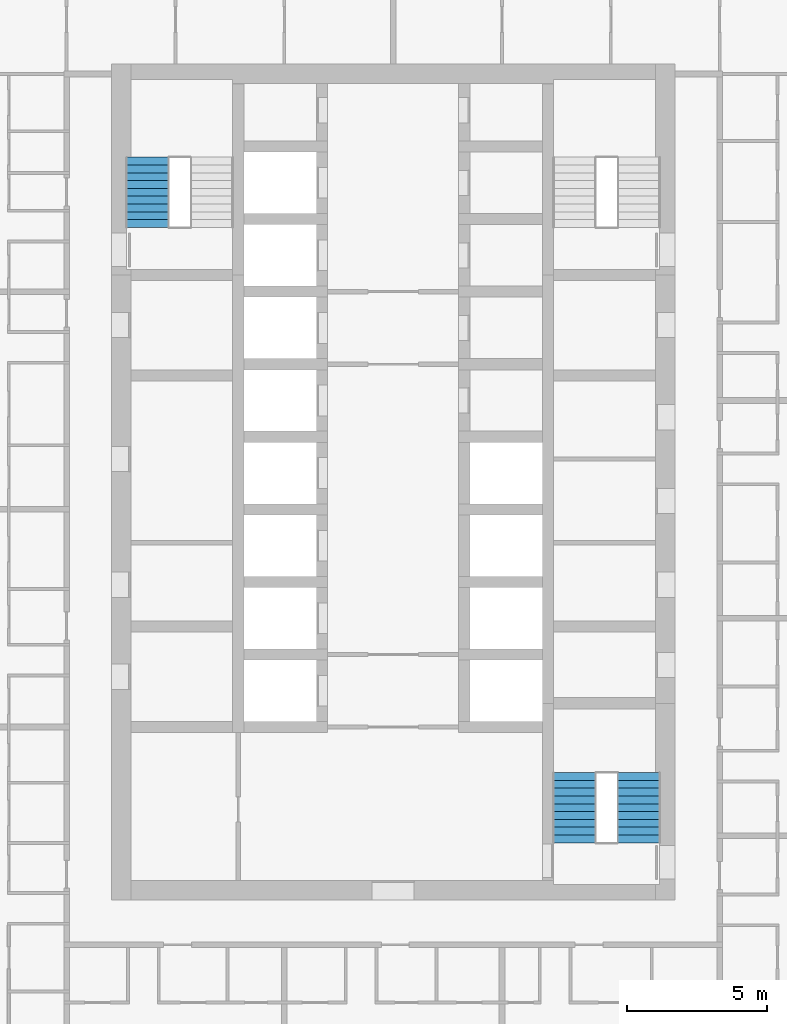
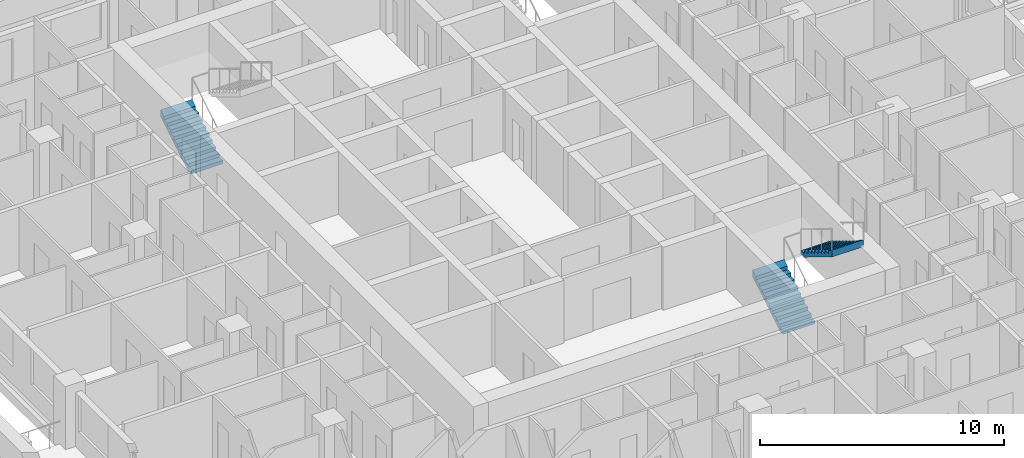
# One storey, part 15 of 18: 3 stair flights, 2 elements without a shape of their own.
"""IFC4 building model written with IfcOpenShell, lengths in metres."""

from ifc_helpers import new_model, si_unit, direction, frame, origin, place, context, subcontext, project, spatial, triangles, material, type_object, element, aggregate, save


model = new_model("IFC4")

# Units and contexts
model_context = context("Model", 3, precision=1e-05, world=origin(), true_north=direction((0.0, 1.0)))
body_context = subcontext(model_context, "Body", "Model", "MODEL_VIEW")
ifc_project = project(units=[si_unit("LENGTHUNIT", "METRE"), si_unit("AREAUNIT", "SQUARE_METRE"), si_unit("VOLUMEUNIT", "CUBIC_METRE"), si_unit("PLANEANGLEUNIT", "RADIAN"), si_unit("MASSUNIT", "GRAM", prefix="KILO")], contexts=[model_context])

# Site, building, storey
site_placement = place(None, origin())
site = spatial("IfcSite", under=ifc_project, at=site_placement, CompositionType="ELEMENT")
building_placement = place(site_placement, origin())
building = spatial("IfcBuilding", under=site, at=building_placement, Name="Ludao Terraces", CompositionType="ELEMENT")
storey_placement = place(building_placement, frame((0.0, 0.0, 61.39990234375)))
storey = spatial("IfcBuildingStorey", under=building, at=storey_placement, Name="L16", CompositionType="ELEMENT", Elevation=61.39990234375)

# Stair, stair flight
ifc_material = material(Name="Concrete C40", Category="concrete")
stair_type = type_object("IfcStairType", Name="INT Stair", PredefinedType="HALF_TURN_STAIR", material=ifc_material)
stair_1_placement = place(storey_placement, origin())
stair_1 = element("IfcStair", 1, at=stair_1_placement, inside=storey, type_object=stair_type, Name="EXIT STAIR 1", PredefinedType="HALF_TURN_STAIR")
stair_flight_type = type_object("IfcStairFlightType", Name="INT Stair flight", PredefinedType="STRAIGHT", material=ifc_material)
stair_flight_1_placement = place(storey_placement, frame((76.199951171875, 79.0, 0.0), z_axis=(0.0, 0.0, 1.0), x_axis=(0.0, 1.0, 0.0)))
stair_flight_1 = element("IfcStairFlight", 2, at=stair_flight_1_placement, type_object=stair_flight_type, Name="ST1 flight 1", NumberOfRisers=10, NumberOfTreads=9, PredefinedType="STRAIGHT", RiserHeight=0.17, TreadLength=0.28, context=body_context, shape_type="Tessellation", body=[
    triangles([(0.0, -0.75, 0.0), (0.0, -0.5, 0.0), (0.0, -0.25, 0.0), (0.0, 0.0, 0.0), (0.0, 0.25, 0.0), (0.0, 0.5, 0.0), (0.0, 0.75, 0.0), (0.0, -0.75, 0.169921875), (0.0, -0.5, 0.169921875), (0.0, -0.25, 0.169921875), (0.0, 0.0, 0.169921875), (0.0, 0.25, 0.169921875), (0.0, 0.5, 0.169921875), (0.0, 0.75, 0.169921875), (0.280029296875, -0.75, 0.169921875), (0.280029296875, -0.5, 0.169921875), (0.280029296875, -0.25, 0.169921875), (0.280029296875, 0.0, 0.169921875), (0.280029296875, 0.25, 0.169921875), (0.280029296875, 0.5, 0.169921875), (0.280029296875, 0.75, 0.169921875), (0.280029296875, -0.75, 0.340087890625), (0.280029296875, -0.5, 0.340087890625), (0.280029296875, -0.25, 0.340087890625), (0.280029296875, 0.0, 0.340087890625), (0.280029296875, 0.25, 0.340087890625), (0.280029296875, 0.5, 0.340087890625), (0.280029296875, 0.75, 0.340087890625), (0.56005859375, -0.75, 0.340087890625), (0.56005859375, -0.5, 0.340087890625), (0.56005859375, -0.25, 0.340087890625), (0.56005859375, 0.0, 0.340087890625), (0.56005859375, 0.25, 0.340087890625), (0.56005859375, 0.5, 0.340087890625), (0.56005859375, 0.75, 0.340087890625), (0.56005859375, -0.75, 0.510009765625), (0.56005859375, -0.5, 0.510009765625), (0.56005859375, -0.25, 0.510009765625), (0.56005859375, 0.0, 0.510009765625), (0.56005859375, 0.25, 0.510009765625), (0.56005859375, 0.5, 0.510009765625), (0.56005859375, 0.75, 0.510009765625), (0.840087890625, -0.75, 0.510009765625), (0.840087890625, -0.5, 0.510009765625), (0.840087890625, -0.25, 0.510009765625), (0.840087890625, 0.0, 0.510009765625), (0.840087890625, 0.25, 0.510009765625), (0.840087890625, 0.5, 0.510009765625), (0.840087890625, 0.75, 0.510009765625), (0.840087890625, -0.75, 0.679931640625), (0.840087890625, -0.5, 0.679931640625), (0.840087890625, -0.25, 0.679931640625), (0.840087890625, 0.0, 0.679931640625), (0.840087890625, 0.25, 0.679931640625), (0.840087890625, 0.5, 0.679931640625), (0.840087890625, 0.75, 0.679931640625), (1.1201171875, -0.75, 0.679931640625), (1.1201171875, -0.5, 0.679931640625), (1.1201171875, -0.25, 0.679931640625), (1.1201171875, 0.0, 0.679931640625), (1.1201171875, 0.25, 0.679931640625), (1.1201171875, 0.5, 0.679931640625), (1.1201171875, 0.75, 0.679931640625), (1.1201171875, -0.75, 0.85009765625), (1.1201171875, -0.5, 0.85009765625), (1.1201171875, -0.25, 0.85009765625), (1.1201171875, 0.0, 0.85009765625), (1.1201171875, 0.25, 0.85009765625), (1.1201171875, 0.5, 0.85009765625), (1.1201171875, 0.75, 0.85009765625), (1.39990234375, -0.75, 0.85009765625), (1.39990234375, -0.5, 0.85009765625), (1.39990234375, -0.25, 0.85009765625), (1.39990234375, 0.0, 0.85009765625), (1.39990234375, 0.25, 0.85009765625), (1.39990234375, 0.5, 0.85009765625), (1.39990234375, 0.75, 0.85009765625), (1.39990234375, -0.75, 1.02001953125), (1.39990234375, -0.5, 1.02001953125), (1.39990234375, -0.25, 1.02001953125), (1.39990234375, 0.0, 1.02001953125), (1.39990234375, 0.25, 1.02001953125), (1.39990234375, 0.5, 1.02001953125), (1.39990234375, 0.75, 1.02001953125), (1.679931640625, -0.75, 1.02001953125), (1.679931640625, -0.5, 1.02001953125), (1.679931640625, -0.25, 1.02001953125), (1.679931640625, 0.0, 1.02001953125), (1.679931640625, 0.25, 1.02001953125), (1.679931640625, 0.5, 1.02001953125), (1.679931640625, 0.75, 1.02001953125), (1.679931640625, -0.75, 1.18994140625), (1.679931640625, -0.5, 1.18994140625), (1.679931640625, -0.25, 1.18994140625), (1.679931640625, 0.0, 1.18994140625), (1.679931640625, 0.25, 1.18994140625), (1.679931640625, 0.5, 1.18994140625), (1.679931640625, 0.75, 1.18994140625), (1.9599609375, -0.75, 1.18994140625), (1.9599609375, -0.5, 1.18994140625), (1.9599609375, -0.25, 1.18994140625), (1.9599609375, 0.0, 1.18994140625), (1.9599609375, 0.25, 1.18994140625), (1.9599609375, 0.5, 1.18994140625), (1.9599609375, 0.75, 1.18994140625), (1.9599609375, -0.75, 1.360107421875), (1.9599609375, -0.5, 1.360107421875), (1.9599609375, -0.25, 1.360107421875), (1.9599609375, 0.0, 1.360107421875), (1.9599609375, 0.25, 1.360107421875), (1.9599609375, 0.5, 1.360107421875), (1.9599609375, 0.75, 1.360107421875), (2.239990234375, -0.75, 1.360107421875), (2.239990234375, -0.5, 1.360107421875), (2.239990234375, -0.25, 1.360107421875), (2.239990234375, 0.0, 1.360107421875), (2.239990234375, 0.25, 1.360107421875), (2.239990234375, 0.5, 1.360107421875), (2.239990234375, 0.75, 1.360107421875), (2.239990234375, -0.75, 1.530029296875), (2.239990234375, -0.5, 1.530029296875), (2.239990234375, -0.25, 1.530029296875), (2.239990234375, 0.0, 1.530029296875), (2.239990234375, 0.25, 1.530029296875), (2.239990234375, 0.5, 1.530029296875), (2.239990234375, 0.75, 1.530029296875), (2.52001953125, -0.75, 1.699951171875), (2.52001953125, -0.5, 1.699951171875), (2.52001953125, -0.25, 1.699951171875), (2.52001953125, 0.0, 1.699951171875), (2.52001953125, 0.25, 1.699951171875), (2.52001953125, 0.5, 1.699951171875), (2.52001953125, 0.75, 1.699951171875), (2.52001953125, -0.75, 1.354736328125), (2.52001953125, -0.5, 1.354736328125), (2.52001953125, -0.25, 1.354736328125), (2.52001953125, 0.0, 1.354736328125), (2.52001953125, 0.25, 1.354736328125), (2.52001953125, 0.5, 1.354736328125), (2.52001953125, 0.75, 1.354736328125), (0.288818359375, -0.75, 0.0), (0.288818359375, -0.5, 0.0), (0.288818359375, -0.25, 0.0), (0.288818359375, 0.0, 0.0), (0.288818359375, 0.25, 0.0), (0.288818359375, 0.5, 0.0), (0.288818359375, 0.75, 0.0)], [[1, 141, 134], [7, 140, 147], [134, 127, 120], [140, 126, 133], [134, 120, 113], [140, 119, 126], [134, 113, 106], [140, 112, 119], [134, 106, 99], [140, 105, 112], [99, 92, 85], [105, 91, 98], [134, 99, 85], [140, 91, 105], [85, 78, 71], [91, 77, 84], [134, 85, 71], [140, 77, 91], [71, 64, 57], [77, 63, 70], [134, 71, 57], [140, 63, 77], [57, 50, 43], [63, 49, 56], [134, 57, 43], [140, 49, 63], [43, 36, 29], [49, 35, 42], [134, 43, 29], [140, 35, 49], [29, 22, 15], [35, 21, 28], [134, 29, 15], [140, 21, 35], [1, 134, 15], [7, 21, 140], [15, 8, 1], [21, 7, 14], [1, 9, 2], [1, 8, 9], [2, 10, 3], [2, 9, 10], [3, 11, 4], [3, 10, 11], [4, 12, 5], [4, 11, 12], [5, 13, 6], [5, 12, 13], [6, 14, 7], [6, 13, 14], [8, 16, 9], [8, 15, 16], [9, 17, 10], [9, 16, 17], [10, 18, 11], [10, 17, 18], [11, 19, 12], [11, 18, 19], [12, 20, 13], [12, 19, 20], [13, 21, 14], [13, 20, 21], [15, 23, 16], [15, 22, 23], [16, 24, 17], [16, 23, 24], [17, 25, 18], [17, 24, 25], [18, 26, 19], [18, 25, 26], [19, 27, 20], [19, 26, 27], [20, 28, 21], [20, 27, 28], [22, 30, 23], [22, 29, 30], [23, 31, 24], [23, 30, 31], [24, 32, 25], [24, 31, 32], [25, 33, 26], [25, 32, 33], [26, 34, 27], [26, 33, 34], [27, 35, 28], [27, 34, 35], [29, 37, 30], [29, 36, 37], [30, 38, 31], [30, 37, 38], [31, 39, 32], [31, 38, 39], [32, 40, 33], [32, 39, 40], [33, 41, 34], [33, 40, 41], [34, 42, 35], [34, 41, 42], [36, 44, 37], [36, 43, 44], [37, 45, 38], [37, 44, 45], [38, 46, 39], [38, 45, 46], [39, 47, 40], [39, 46, 47], [40, 48, 41], [40, 47, 48], [41, 49, 42], [41, 48, 49], [43, 51, 44], [43, 50, 51], [44, 52, 45], [44, 51, 52], [45, 53, 46], [45, 52, 53], [46, 54, 47], [46, 53, 54], [47, 55, 48], [47, 54, 55], [48, 56, 49], [48, 55, 56], [50, 58, 51], [50, 57, 58], [51, 59, 52], [51, 58, 59], [52, 60, 53], [52, 59, 60], [53, 61, 54], [53, 60, 61], [54, 62, 55], [54, 61, 62], [55, 63, 56], [55, 62, 63], [57, 65, 58], [57, 64, 65], [58, 66, 59], [58, 65, 66], [59, 67, 60], [59, 66, 67], [60, 68, 61], [60, 67, 68], [61, 69, 62], [61, 68, 69], [62, 70, 63], [62, 69, 70], [64, 72, 65], [64, 71, 72], [65, 73, 66], [65, 72, 73], [66, 74, 67], [66, 73, 74], [67, 75, 68], [67, 74, 75], [68, 76, 69], [68, 75, 76], [69, 77, 70], [69, 76, 77], [71, 79, 72], [71, 78, 79], [72, 80, 73], [72, 79, 80], [73, 81, 74], [73, 80, 81], [74, 82, 75], [74, 81, 82], [75, 83, 76], [75, 82, 83], [76, 84, 77], [76, 83, 84], [78, 86, 79], [78, 85, 86], [79, 87, 80], [79, 86, 87], [80, 88, 81], [80, 87, 88], [81, 89, 82], [81, 88, 89], [82, 90, 83], [82, 89, 90], [83, 91, 84], [83, 90, 91], [85, 93, 86], [85, 92, 93], [86, 94, 87], [86, 93, 94], [87, 95, 88], [87, 94, 95], [88, 96, 89], [88, 95, 96], [89, 97, 90], [89, 96, 97], [90, 98, 91], [90, 97, 98], [92, 100, 93], [92, 99, 100], [93, 101, 94], [93, 100, 101], [94, 102, 95], [94, 101, 102], [95, 103, 96], [95, 102, 103], [96, 104, 97], [96, 103, 104], [97, 105, 98], [97, 104, 105], [99, 107, 100], [99, 106, 107], [100, 108, 101], [100, 107, 108], [101, 109, 102], [101, 108, 109], [102, 110, 103], [102, 109, 110], [103, 111, 104], [103, 110, 111], [104, 112, 105], [104, 111, 112], [106, 114, 107], [106, 113, 114], [107, 115, 108], [107, 114, 115], [108, 116, 109], [108, 115, 116], [109, 117, 110], [109, 116, 117], [110, 118, 111], [110, 117, 118], [111, 119, 112], [111, 118, 119], [113, 121, 114], [113, 120, 121], [114, 122, 115], [114, 121, 122], [115, 123, 116], [115, 122, 123], [116, 124, 117], [116, 123, 124], [117, 125, 118], [117, 124, 125], [118, 126, 119], [118, 125, 126], [120, 128, 121], [120, 127, 128], [121, 129, 122], [121, 128, 129], [122, 130, 123], [122, 129, 130], [123, 131, 124], [123, 130, 131], [124, 132, 125], [124, 131, 132], [125, 133, 126], [125, 132, 133], [127, 135, 128], [127, 134, 135], [128, 136, 129], [128, 135, 136], [129, 137, 130], [129, 136, 137], [130, 138, 131], [130, 137, 138], [131, 139, 132], [131, 138, 139], [132, 140, 133], [132, 139, 140], [134, 142, 135], [134, 141, 142], [135, 143, 136], [135, 142, 143], [136, 144, 137], [136, 143, 144], [137, 145, 138], [137, 144, 145], [138, 146, 139], [138, 145, 146], [139, 147, 140], [139, 146, 147], [141, 2, 142], [141, 1, 2], [142, 3, 143], [142, 2, 3], [143, 4, 144], [143, 3, 4], [144, 5, 145], [144, 4, 5], [145, 6, 146], [145, 5, 6], [146, 7, 147], [146, 6, 7]], closed=True),
])
aggregate(stair_1, [stair_flight_1])

# Stair, stair flights
stair_2_placement = place(storey_placement, origin())
stair_2 = element("IfcStair", 3, at=stair_2_placement, inside=storey, type_object=stair_type, Name="EXIT STAIR 3", PredefinedType="HALF_TURN_STAIR")
stair_flight_2_placement = place(storey_placement, frame((91.5, 56.949951171875, 0.0), z_axis=(0.0, 0.0, 1.0), x_axis=(0.0, 1.0, 0.0)))
stair_flight_2 = element("IfcStairFlight", 4, at=stair_flight_2_placement, type_object=stair_flight_type, Name="ST3 flight 1", NumberOfRisers=10, NumberOfTreads=9, PredefinedType="STRAIGHT", RiserHeight=0.17, TreadLength=0.28, context=body_context, shape_type="Tessellation", body=[
    triangles([(0.0, -0.75, 0.0), (0.0, -0.5, 0.0), (0.0, -0.25, 0.0), (0.0, 0.0, 0.0), (0.0, 0.25, 0.0), (0.0, 0.5, 0.0), (0.0, 0.75, 0.0), (0.0, -0.75, 0.169921875), (0.0, -0.5, 0.169921875), (0.0, -0.25, 0.169921875), (0.0, 0.0, 0.169921875), (0.0, 0.25, 0.169921875), (0.0, 0.5, 0.169921875), (0.0, 0.75, 0.169921875), (0.280029296875, -0.75, 0.169921875), (0.280029296875, -0.5, 0.169921875), (0.280029296875, -0.25, 0.169921875), (0.280029296875, 0.0, 0.169921875), (0.280029296875, 0.25, 0.169921875), (0.280029296875, 0.5, 0.169921875), (0.280029296875, 0.75, 0.169921875), (0.280029296875, -0.75, 0.340087890625), (0.280029296875, -0.5, 0.340087890625), (0.280029296875, -0.25, 0.340087890625), (0.280029296875, 0.0, 0.340087890625), (0.280029296875, 0.25, 0.340087890625), (0.280029296875, 0.5, 0.340087890625), (0.280029296875, 0.75, 0.340087890625), (0.56005859375, -0.75, 0.340087890625), (0.56005859375, -0.5, 0.340087890625), (0.56005859375, -0.25, 0.340087890625), (0.56005859375, 0.0, 0.340087890625), (0.56005859375, 0.25, 0.340087890625), (0.56005859375, 0.5, 0.340087890625), (0.56005859375, 0.75, 0.340087890625), (0.56005859375, -0.75, 0.510009765625), (0.56005859375, -0.5, 0.510009765625), (0.56005859375, -0.25, 0.510009765625), (0.56005859375, 0.0, 0.510009765625), (0.56005859375, 0.25, 0.510009765625), (0.56005859375, 0.5, 0.510009765625), (0.56005859375, 0.75, 0.510009765625), (0.840087890625, -0.75, 0.510009765625), (0.840087890625, -0.5, 0.510009765625), (0.840087890625, -0.25, 0.510009765625), (0.840087890625, 0.0, 0.510009765625), (0.840087890625, 0.25, 0.510009765625), (0.840087890625, 0.5, 0.510009765625), (0.840087890625, 0.75, 0.510009765625), (0.840087890625, -0.75, 0.679931640625), (0.840087890625, -0.5, 0.679931640625), (0.840087890625, -0.25, 0.679931640625), (0.840087890625, 0.0, 0.679931640625), (0.840087890625, 0.25, 0.679931640625), (0.840087890625, 0.5, 0.679931640625), (0.840087890625, 0.75, 0.679931640625), (1.1201171875, -0.75, 0.679931640625), (1.1201171875, -0.5, 0.679931640625), (1.1201171875, -0.25, 0.679931640625), (1.1201171875, 0.0, 0.679931640625), (1.1201171875, 0.25, 0.679931640625), (1.1201171875, 0.5, 0.679931640625), (1.1201171875, 0.75, 0.679931640625), (1.1201171875, -0.75, 0.85009765625), (1.1201171875, -0.5, 0.85009765625), (1.1201171875, -0.25, 0.85009765625), (1.1201171875, 0.0, 0.85009765625), (1.1201171875, 0.25, 0.85009765625), (1.1201171875, 0.5, 0.85009765625), (1.1201171875, 0.75, 0.85009765625), (1.39990234375, -0.75, 0.85009765625), (1.39990234375, -0.5, 0.85009765625), (1.39990234375, -0.25, 0.85009765625), (1.39990234375, 0.0, 0.85009765625), (1.39990234375, 0.25, 0.85009765625), (1.39990234375, 0.5, 0.85009765625), (1.39990234375, 0.75, 0.85009765625), (1.39990234375, -0.75, 1.02001953125), (1.39990234375, -0.5, 1.02001953125), (1.39990234375, -0.25, 1.02001953125), (1.39990234375, 0.0, 1.02001953125), (1.39990234375, 0.25, 1.02001953125), (1.39990234375, 0.5, 1.02001953125), (1.39990234375, 0.75, 1.02001953125), (1.679931640625, -0.75, 1.02001953125), (1.679931640625, -0.5, 1.02001953125), (1.679931640625, -0.25, 1.02001953125), (1.679931640625, 0.0, 1.02001953125), (1.679931640625, 0.25, 1.02001953125), (1.679931640625, 0.5, 1.02001953125), (1.679931640625, 0.75, 1.02001953125), (1.679931640625, -0.75, 1.18994140625), (1.679931640625, -0.5, 1.18994140625), (1.679931640625, -0.25, 1.18994140625), (1.679931640625, 0.0, 1.18994140625), (1.679931640625, 0.25, 1.18994140625), (1.679931640625, 0.5, 1.18994140625), (1.679931640625, 0.75, 1.18994140625), (1.9599609375, -0.75, 1.18994140625), (1.9599609375, -0.5, 1.18994140625), (1.9599609375, -0.25, 1.18994140625), (1.9599609375, 0.0, 1.18994140625), (1.9599609375, 0.25, 1.18994140625), (1.9599609375, 0.5, 1.18994140625), (1.9599609375, 0.75, 1.18994140625), (1.9599609375, -0.75, 1.360107421875), (1.9599609375, -0.5, 1.360107421875), (1.9599609375, -0.25, 1.360107421875), (1.9599609375, 0.0, 1.360107421875), (1.9599609375, 0.25, 1.360107421875), (1.9599609375, 0.5, 1.360107421875), (1.9599609375, 0.75, 1.360107421875), (2.239990234375, -0.75, 1.360107421875), (2.239990234375, -0.5, 1.360107421875), (2.239990234375, -0.25, 1.360107421875), (2.239990234375, 0.0, 1.360107421875), (2.239990234375, 0.25, 1.360107421875), (2.239990234375, 0.5, 1.360107421875), (2.239990234375, 0.75, 1.360107421875), (2.239990234375, -0.75, 1.530029296875), (2.239990234375, -0.5, 1.530029296875), (2.239990234375, -0.25, 1.530029296875), (2.239990234375, 0.0, 1.530029296875), (2.239990234375, 0.25, 1.530029296875), (2.239990234375, 0.5, 1.530029296875), (2.239990234375, 0.75, 1.530029296875), (2.52001953125, -0.75, 1.699951171875), (2.52001953125, -0.5, 1.699951171875), (2.52001953125, -0.25, 1.699951171875), (2.52001953125, 0.0, 1.699951171875), (2.52001953125, 0.25, 1.699951171875), (2.52001953125, 0.5, 1.699951171875), (2.52001953125, 0.75, 1.699951171875), (2.52001953125, -0.75, 1.354736328125), (2.52001953125, -0.5, 1.354736328125), (2.52001953125, -0.25, 1.354736328125), (2.52001953125, 0.0, 1.354736328125), (2.52001953125, 0.25, 1.354736328125), (2.52001953125, 0.5, 1.354736328125), (2.52001953125, 0.75, 1.354736328125), (0.288818359375, -0.75, 0.0), (0.288818359375, -0.5, 0.0), (0.288818359375, -0.25, 0.0), (0.288818359375, 0.0, 0.0), (0.288818359375, 0.25, 0.0), (0.288818359375, 0.5, 0.0), (0.288818359375, 0.75, 0.0)], [[1, 141, 134], [7, 140, 147], [134, 127, 120], [140, 126, 133], [134, 120, 113], [140, 119, 126], [134, 113, 106], [140, 112, 119], [134, 106, 99], [140, 105, 112], [99, 92, 85], [105, 91, 98], [134, 99, 85], [140, 91, 105], [85, 78, 71], [91, 77, 84], [134, 85, 71], [140, 77, 91], [71, 64, 57], [77, 63, 70], [134, 71, 57], [140, 63, 77], [57, 50, 43], [63, 49, 56], [134, 57, 43], [140, 49, 63], [43, 36, 29], [49, 35, 42], [134, 43, 29], [140, 35, 49], [29, 22, 15], [35, 21, 28], [134, 29, 15], [140, 21, 35], [1, 134, 15], [7, 21, 140], [15, 8, 1], [21, 7, 14], [1, 9, 2], [1, 8, 9], [2, 10, 3], [2, 9, 10], [3, 11, 4], [3, 10, 11], [4, 12, 5], [4, 11, 12], [5, 13, 6], [5, 12, 13], [6, 14, 7], [6, 13, 14], [8, 16, 9], [8, 15, 16], [9, 17, 10], [9, 16, 17], [10, 18, 11], [10, 17, 18], [11, 19, 12], [11, 18, 19], [12, 20, 13], [12, 19, 20], [13, 21, 14], [13, 20, 21], [15, 23, 16], [15, 22, 23], [16, 24, 17], [16, 23, 24], [17, 25, 18], [17, 24, 25], [18, 26, 19], [18, 25, 26], [19, 27, 20], [19, 26, 27], [20, 28, 21], [20, 27, 28], [22, 30, 23], [22, 29, 30], [23, 31, 24], [23, 30, 31], [24, 32, 25], [24, 31, 32], [25, 33, 26], [25, 32, 33], [26, 34, 27], [26, 33, 34], [27, 35, 28], [27, 34, 35], [29, 37, 30], [29, 36, 37], [30, 38, 31], [30, 37, 38], [31, 39, 32], [31, 38, 39], [32, 40, 33], [32, 39, 40], [33, 41, 34], [33, 40, 41], [34, 42, 35], [34, 41, 42], [36, 44, 37], [36, 43, 44], [37, 45, 38], [37, 44, 45], [38, 46, 39], [38, 45, 46], [39, 47, 40], [39, 46, 47], [40, 48, 41], [40, 47, 48], [41, 49, 42], [41, 48, 49], [43, 51, 44], [43, 50, 51], [44, 52, 45], [44, 51, 52], [45, 53, 46], [45, 52, 53], [46, 54, 47], [46, 53, 54], [47, 55, 48], [47, 54, 55], [48, 56, 49], [48, 55, 56], [50, 58, 51], [50, 57, 58], [51, 59, 52], [51, 58, 59], [52, 60, 53], [52, 59, 60], [53, 61, 54], [53, 60, 61], [54, 62, 55], [54, 61, 62], [55, 63, 56], [55, 62, 63], [57, 65, 58], [57, 64, 65], [58, 66, 59], [58, 65, 66], [59, 67, 60], [59, 66, 67], [60, 68, 61], [60, 67, 68], [61, 69, 62], [61, 68, 69], [62, 70, 63], [62, 69, 70], [64, 72, 65], [64, 71, 72], [65, 73, 66], [65, 72, 73], [66, 74, 67], [66, 73, 74], [67, 75, 68], [67, 74, 75], [68, 76, 69], [68, 75, 76], [69, 77, 70], [69, 76, 77], [71, 79, 72], [71, 78, 79], [72, 80, 73], [72, 79, 80], [73, 81, 74], [73, 80, 81], [74, 82, 75], [74, 81, 82], [75, 83, 76], [75, 82, 83], [76, 84, 77], [76, 83, 84], [78, 86, 79], [78, 85, 86], [79, 87, 80], [79, 86, 87], [80, 88, 81], [80, 87, 88], [81, 89, 82], [81, 88, 89], [82, 90, 83], [82, 89, 90], [83, 91, 84], [83, 90, 91], [85, 93, 86], [85, 92, 93], [86, 94, 87], [86, 93, 94], [87, 95, 88], [87, 94, 95], [88, 96, 89], [88, 95, 96], [89, 97, 90], [89, 96, 97], [90, 98, 91], [90, 97, 98], [92, 100, 93], [92, 99, 100], [93, 101, 94], [93, 100, 101], [94, 102, 95], [94, 101, 102], [95, 103, 96], [95, 102, 103], [96, 104, 97], [96, 103, 104], [97, 105, 98], [97, 104, 105], [99, 107, 100], [99, 106, 107], [100, 108, 101], [100, 107, 108], [101, 109, 102], [101, 108, 109], [102, 110, 103], [102, 109, 110], [103, 111, 104], [103, 110, 111], [104, 112, 105], [104, 111, 112], [106, 114, 107], [106, 113, 114], [107, 115, 108], [107, 114, 115], [108, 116, 109], [108, 115, 116], [109, 117, 110], [109, 116, 117], [110, 118, 111], [110, 117, 118], [111, 119, 112], [111, 118, 119], [113, 121, 114], [113, 120, 121], [114, 122, 115], [114, 121, 122], [115, 123, 116], [115, 122, 123], [116, 124, 117], [116, 123, 124], [117, 125, 118], [117, 124, 125], [118, 126, 119], [118, 125, 126], [120, 128, 121], [120, 127, 128], [121, 129, 122], [121, 128, 129], [122, 130, 123], [122, 129, 130], [123, 131, 124], [123, 130, 131], [124, 132, 125], [124, 131, 132], [125, 133, 126], [125, 132, 133], [127, 135, 128], [127, 134, 135], [128, 136, 129], [128, 135, 136], [129, 137, 130], [129, 136, 137], [130, 138, 131], [130, 137, 138], [131, 139, 132], [131, 138, 139], [132, 140, 133], [132, 139, 140], [134, 142, 135], [134, 141, 142], [135, 143, 136], [135, 142, 143], [136, 144, 137], [136, 143, 144], [137, 145, 138], [137, 144, 145], [138, 146, 139], [138, 145, 146], [139, 147, 140], [139, 146, 147], [141, 2, 142], [141, 1, 2], [142, 3, 143], [142, 2, 3], [143, 4, 144], [143, 3, 4], [144, 5, 145], [144, 4, 5], [145, 6, 146], [145, 5, 6], [146, 7, 147], [146, 6, 7]], closed=True),
])
stair_flight_3_placement = place(storey_placement, frame((93.800048828125, 59.469970703125, 1.7001953125), z_axis=(0.0, 0.0, 1.0), x_axis=(0.0, -1.0, 0.0)))
stair_flight_3 = element("IfcStairFlight", 5, at=stair_flight_3_placement, type_object=stair_flight_type, Name="ST3 flight 2", NumberOfRisers=10, NumberOfTreads=9, PredefinedType="STRAIGHT", RiserHeight=0.17, TreadLength=0.28, context=body_context, shape_type="Tessellation", body=[
    triangles([(0.0, -0.75, 0.0), (0.0, -0.5, 0.0), (0.0, -0.25, 0.0), (0.0, 0.0, 0.0), (0.0, 0.25, 0.0), (0.0, 0.5, 0.0), (0.0, 0.75, 0.0), (0.0, -0.75, 0.169921875), (0.0, -0.5, 0.169921875), (0.0, -0.25, 0.169921875), (0.0, 0.0, 0.169921875), (0.0, 0.25, 0.169921875), (0.0, 0.5, 0.169921875), (0.0, 0.75, 0.169921875), (0.280029296875, -0.75, 0.169921875), (0.280029296875, -0.5, 0.169921875), (0.280029296875, -0.25, 0.169921875), (0.280029296875, 0.0, 0.169921875), (0.280029296875, 0.25, 0.169921875), (0.280029296875, 0.5, 0.169921875), (0.280029296875, 0.75, 0.169921875), (0.280029296875, -0.75, 0.340087890625), (0.280029296875, -0.5, 0.340087890625), (0.280029296875, -0.25, 0.340087890625), (0.280029296875, 0.0, 0.340087890625), (0.280029296875, 0.25, 0.340087890625), (0.280029296875, 0.5, 0.340087890625), (0.280029296875, 0.75, 0.340087890625), (0.56005859375, -0.75, 0.340087890625), (0.56005859375, -0.5, 0.340087890625), (0.56005859375, -0.25, 0.340087890625), (0.56005859375, 0.0, 0.340087890625), (0.56005859375, 0.25, 0.340087890625), (0.56005859375, 0.5, 0.340087890625), (0.56005859375, 0.75, 0.340087890625), (0.56005859375, -0.75, 0.510009765625), (0.56005859375, -0.5, 0.510009765625), (0.56005859375, -0.25, 0.510009765625), (0.56005859375, 0.0, 0.510009765625), (0.56005859375, 0.25, 0.510009765625), (0.56005859375, 0.5, 0.510009765625), (0.56005859375, 0.75, 0.510009765625), (0.840087890625, -0.75, 0.510009765625), (0.840087890625, -0.5, 0.510009765625), (0.840087890625, -0.25, 0.510009765625), (0.840087890625, 0.0, 0.510009765625), (0.840087890625, 0.25, 0.510009765625), (0.840087890625, 0.5, 0.510009765625), (0.840087890625, 0.75, 0.510009765625), (0.840087890625, -0.75, 0.679931640625), (0.840087890625, -0.5, 0.679931640625), (0.840087890625, -0.25, 0.679931640625), (0.840087890625, 0.0, 0.679931640625), (0.840087890625, 0.25, 0.679931640625), (0.840087890625, 0.5, 0.679931640625), (0.840087890625, 0.75, 0.679931640625), (1.1201171875, -0.75, 0.679931640625), (1.1201171875, -0.5, 0.679931640625), (1.1201171875, -0.25, 0.679931640625), (1.1201171875, 0.0, 0.679931640625), (1.1201171875, 0.25, 0.679931640625), (1.1201171875, 0.5, 0.679931640625), (1.1201171875, 0.75, 0.679931640625), (1.1201171875, -0.75, 0.85009765625), (1.1201171875, -0.5, 0.85009765625), (1.1201171875, -0.25, 0.85009765625), (1.1201171875, 0.0, 0.85009765625), (1.1201171875, 0.25, 0.85009765625), (1.1201171875, 0.5, 0.85009765625), (1.1201171875, 0.75, 0.85009765625), (1.39990234375, -0.75, 0.85009765625), (1.39990234375, -0.5, 0.85009765625), (1.39990234375, -0.25, 0.85009765625), (1.39990234375, 0.0, 0.85009765625), (1.39990234375, 0.25, 0.85009765625), (1.39990234375, 0.5, 0.85009765625), (1.39990234375, 0.75, 0.85009765625), (1.39990234375, -0.75, 1.02001953125), (1.39990234375, -0.5, 1.02001953125), (1.39990234375, -0.25, 1.02001953125), (1.39990234375, 0.0, 1.02001953125), (1.39990234375, 0.25, 1.02001953125), (1.39990234375, 0.5, 1.02001953125), (1.39990234375, 0.75, 1.02001953125), (1.679931640625, -0.75, 1.02001953125), (1.679931640625, -0.5, 1.02001953125), (1.679931640625, -0.25, 1.02001953125), (1.679931640625, 0.0, 1.02001953125), (1.679931640625, 0.25, 1.02001953125), (1.679931640625, 0.5, 1.02001953125), (1.679931640625, 0.75, 1.02001953125), (1.679931640625, -0.75, 1.18994140625), (1.679931640625, -0.5, 1.18994140625), (1.679931640625, -0.25, 1.18994140625), (1.679931640625, 0.0, 1.18994140625), (1.679931640625, 0.25, 1.18994140625), (1.679931640625, 0.5, 1.18994140625), (1.679931640625, 0.75, 1.18994140625), (1.9599609375, -0.75, 1.18994140625), (1.9599609375, -0.5, 1.18994140625), (1.9599609375, -0.25, 1.18994140625), (1.9599609375, 0.0, 1.18994140625), (1.9599609375, 0.25, 1.18994140625), (1.9599609375, 0.5, 1.18994140625), (1.9599609375, 0.75, 1.18994140625), (1.9599609375, -0.75, 1.360107421875), (1.9599609375, -0.5, 1.360107421875), (1.9599609375, -0.25, 1.360107421875), (1.9599609375, 0.0, 1.360107421875), (1.9599609375, 0.25, 1.360107421875), (1.9599609375, 0.5, 1.360107421875), (1.9599609375, 0.75, 1.360107421875), (2.239990234375, -0.75, 1.360107421875), (2.239990234375, -0.5, 1.360107421875), (2.239990234375, -0.25, 1.360107421875), (2.239990234375, 0.0, 1.360107421875), (2.239990234375, 0.25, 1.360107421875), (2.239990234375, 0.5, 1.360107421875), (2.239990234375, 0.75, 1.360107421875), (2.239990234375, -0.75, 1.530029296875), (2.239990234375, -0.5, 1.530029296875), (2.239990234375, -0.25, 1.530029296875), (2.239990234375, 0.0, 1.530029296875), (2.239990234375, 0.25, 1.530029296875), (2.239990234375, 0.5, 1.530029296875), (2.239990234375, 0.75, 1.530029296875), (2.52001953125, -0.75, 1.699951171875), (2.52001953125, -0.5, 1.699951171875), (2.52001953125, -0.25, 1.699951171875), (2.52001953125, 0.0, 1.699951171875), (2.52001953125, 0.25, 1.699951171875), (2.52001953125, 0.5, 1.699951171875), (2.52001953125, 0.75, 1.699951171875), (2.52001953125, -0.75, 1.354736328125), (2.52001953125, -0.5, 1.354736328125), (2.52001953125, -0.25, 1.354736328125), (2.52001953125, 0.0, 1.354736328125), (2.52001953125, 0.25, 1.354736328125), (2.52001953125, 0.5, 1.354736328125), (2.52001953125, 0.75, 1.354736328125), (0.288818359375, -0.75, 0.0), (0.288818359375, -0.5, 0.0), (0.288818359375, -0.25, 0.0), (0.288818359375, 0.0, 0.0), (0.288818359375, 0.25, 0.0), (0.288818359375, 0.5, 0.0), (0.288818359375, 0.75, 0.0)], [[1, 141, 134], [7, 140, 147], [134, 127, 120], [140, 126, 133], [134, 120, 113], [140, 119, 126], [134, 113, 106], [140, 112, 119], [134, 106, 99], [140, 105, 112], [99, 92, 85], [105, 91, 98], [134, 99, 85], [140, 91, 105], [85, 78, 71], [91, 77, 84], [134, 85, 71], [140, 77, 91], [71, 64, 57], [77, 63, 70], [134, 71, 57], [140, 63, 77], [57, 50, 43], [63, 49, 56], [134, 57, 43], [140, 49, 63], [43, 36, 29], [49, 35, 42], [134, 43, 29], [140, 35, 49], [29, 22, 15], [35, 21, 28], [134, 29, 15], [140, 21, 35], [1, 134, 15], [7, 21, 140], [15, 8, 1], [21, 7, 14], [1, 9, 2], [1, 8, 9], [2, 10, 3], [2, 9, 10], [3, 11, 4], [3, 10, 11], [4, 12, 5], [4, 11, 12], [5, 13, 6], [5, 12, 13], [6, 14, 7], [6, 13, 14], [8, 16, 9], [8, 15, 16], [9, 17, 10], [9, 16, 17], [10, 18, 11], [10, 17, 18], [11, 19, 12], [11, 18, 19], [12, 20, 13], [12, 19, 20], [13, 21, 14], [13, 20, 21], [15, 23, 16], [15, 22, 23], [16, 24, 17], [16, 23, 24], [17, 25, 18], [17, 24, 25], [18, 26, 19], [18, 25, 26], [19, 27, 20], [19, 26, 27], [20, 28, 21], [20, 27, 28], [22, 30, 23], [22, 29, 30], [23, 31, 24], [23, 30, 31], [24, 32, 25], [24, 31, 32], [25, 33, 26], [25, 32, 33], [26, 34, 27], [26, 33, 34], [27, 35, 28], [27, 34, 35], [29, 37, 30], [29, 36, 37], [30, 38, 31], [30, 37, 38], [31, 39, 32], [31, 38, 39], [32, 40, 33], [32, 39, 40], [33, 41, 34], [33, 40, 41], [34, 42, 35], [34, 41, 42], [36, 44, 37], [36, 43, 44], [37, 45, 38], [37, 44, 45], [38, 46, 39], [38, 45, 46], [39, 47, 40], [39, 46, 47], [40, 48, 41], [40, 47, 48], [41, 49, 42], [41, 48, 49], [43, 51, 44], [43, 50, 51], [44, 52, 45], [44, 51, 52], [45, 53, 46], [45, 52, 53], [46, 54, 47], [46, 53, 54], [47, 55, 48], [47, 54, 55], [48, 56, 49], [48, 55, 56], [50, 58, 51], [50, 57, 58], [51, 59, 52], [51, 58, 59], [52, 60, 53], [52, 59, 60], [53, 61, 54], [53, 60, 61], [54, 62, 55], [54, 61, 62], [55, 63, 56], [55, 62, 63], [57, 65, 58], [57, 64, 65], [58, 66, 59], [58, 65, 66], [59, 67, 60], [59, 66, 67], [60, 68, 61], [60, 67, 68], [61, 69, 62], [61, 68, 69], [62, 70, 63], [62, 69, 70], [64, 72, 65], [64, 71, 72], [65, 73, 66], [65, 72, 73], [66, 74, 67], [66, 73, 74], [67, 75, 68], [67, 74, 75], [68, 76, 69], [68, 75, 76], [69, 77, 70], [69, 76, 77], [71, 79, 72], [71, 78, 79], [72, 80, 73], [72, 79, 80], [73, 81, 74], [73, 80, 81], [74, 82, 75], [74, 81, 82], [75, 83, 76], [75, 82, 83], [76, 84, 77], [76, 83, 84], [78, 86, 79], [78, 85, 86], [79, 87, 80], [79, 86, 87], [80, 88, 81], [80, 87, 88], [81, 89, 82], [81, 88, 89], [82, 90, 83], [82, 89, 90], [83, 91, 84], [83, 90, 91], [85, 93, 86], [85, 92, 93], [86, 94, 87], [86, 93, 94], [87, 95, 88], [87, 94, 95], [88, 96, 89], [88, 95, 96], [89, 97, 90], [89, 96, 97], [90, 98, 91], [90, 97, 98], [92, 100, 93], [92, 99, 100], [93, 101, 94], [93, 100, 101], [94, 102, 95], [94, 101, 102], [95, 103, 96], [95, 102, 103], [96, 104, 97], [96, 103, 104], [97, 105, 98], [97, 104, 105], [99, 107, 100], [99, 106, 107], [100, 108, 101], [100, 107, 108], [101, 109, 102], [101, 108, 109], [102, 110, 103], [102, 109, 110], [103, 111, 104], [103, 110, 111], [104, 112, 105], [104, 111, 112], [106, 114, 107], [106, 113, 114], [107, 115, 108], [107, 114, 115], [108, 116, 109], [108, 115, 116], [109, 117, 110], [109, 116, 117], [110, 118, 111], [110, 117, 118], [111, 119, 112], [111, 118, 119], [113, 121, 114], [113, 120, 121], [114, 122, 115], [114, 121, 122], [115, 123, 116], [115, 122, 123], [116, 124, 117], [116, 123, 124], [117, 125, 118], [117, 124, 125], [118, 126, 119], [118, 125, 126], [120, 128, 121], [120, 127, 128], [121, 129, 122], [121, 128, 129], [122, 130, 123], [122, 129, 130], [123, 131, 124], [123, 130, 131], [124, 132, 125], [124, 131, 132], [125, 133, 126], [125, 132, 133], [127, 135, 128], [127, 134, 135], [128, 136, 129], [128, 135, 136], [129, 137, 130], [129, 136, 137], [130, 138, 131], [130, 137, 138], [131, 139, 132], [131, 138, 139], [132, 140, 133], [132, 139, 140], [134, 142, 135], [134, 141, 142], [135, 143, 136], [135, 142, 143], [136, 144, 137], [136, 143, 144], [137, 145, 138], [137, 144, 145], [138, 146, 139], [138, 145, 146], [139, 147, 140], [139, 146, 147], [141, 2, 142], [141, 1, 2], [142, 3, 143], [142, 2, 3], [143, 4, 144], [143, 3, 4], [144, 5, 145], [144, 4, 5], [145, 6, 146], [145, 5, 6], [146, 7, 147], [146, 6, 7]], closed=True),
])
aggregate(stair_2, [stair_flight_2, stair_flight_3])

save(model, "model.ifc")
